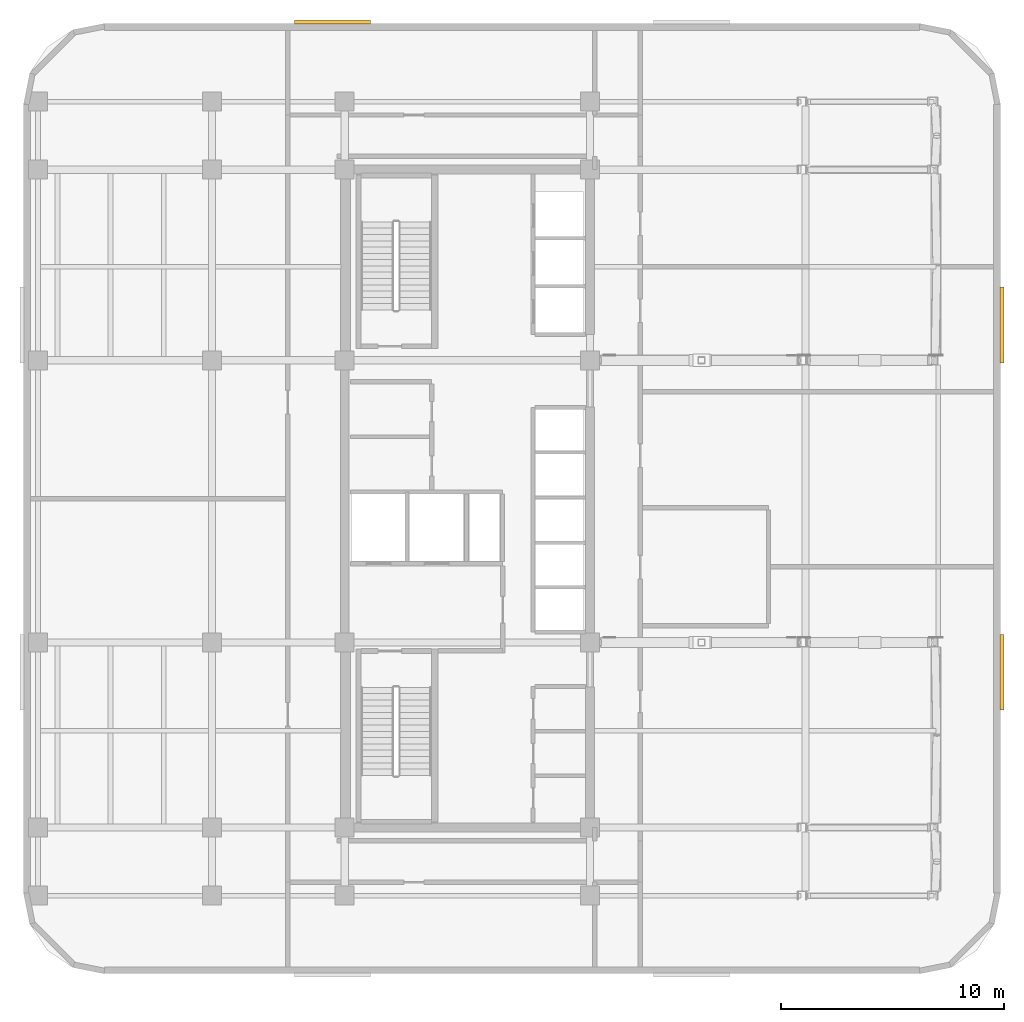
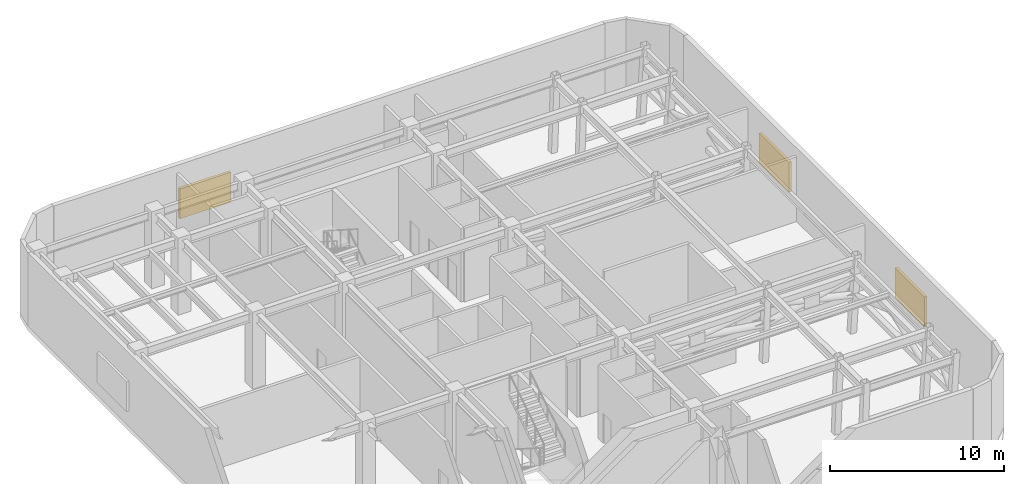
# One storey, part 11 of 12: 3 shading devices.
"""IFC4 building model written with IfcOpenShell, lengths in metres."""

from ifc_helpers import new_model, si_unit, direction, frame, origin, origin_2d, place, context, subcontext, project, spatial, rectangle, extrude, material, layer, layer_set, type_object, element, save


model = new_model("IFC4")

# Units and contexts
model_context = context("Model", 3, precision=1e-05, world=origin(), true_north=direction((0.0, 1.0)))
body_context = subcontext(model_context, "Body", "Model", "MODEL_VIEW")
ifc_project = project(units=[si_unit("LENGTHUNIT", "METRE"), si_unit("AREAUNIT", "SQUARE_METRE"), si_unit("VOLUMEUNIT", "CUBIC_METRE"), si_unit("PLANEANGLEUNIT", "RADIAN"), si_unit("MASSUNIT", "GRAM", prefix="KILO")], contexts=[model_context])

# Site, building, storey
site_placement = place(None, origin())
site = spatial("IfcSite", under=ifc_project, at=site_placement, CompositionType="ELEMENT")
building_placement = place(site_placement, origin())
building = spatial("IfcBuilding", under=site, at=building_placement, Name="Ochreholt Gables", CompositionType="ELEMENT")
storey_placement = place(building_placement, frame((0.0, 0.0, 135.60009765625)))
storey = spatial("IfcBuildingStorey", under=building, at=storey_placement, Name="L35", CompositionType="ELEMENT", Elevation=135.60009765625)

# Shading devices
ifc_material = material(Name="Anodized Aluminium Acoustic Weather Louvre", Category="aluminium")
ifc_layer = layer(ifc_material, 0.179931640625, Name="Anodized Aluminium Acoustic Weather Louvre")
ifc_layer_set = layer_set([ifc_layer], Name="Anodized Aluminium Acoustic Weather Louvre")
shading_device_type = type_object("IfcShadingDeviceType", Name="SHD-LOUVRE", PredefinedType="JALOUSIE", material=ifc_layer_set)
for number, where, z_axis, x_axis, name in (
    (1, (53.669921875, 16.2119140625, 1.099853515625), (0.0, 0.0, 1.0), (0.0, 1.0, 0.0), "L35 Acoustic Plant Louvre East-1"),
    (2, (53.669921875, 31.7880859375, 1.099853515625), (0.0, 0.0, 1.0), (0.0, 1.0, 0.0), "L35 Acoustic Plant Louvre East-2"),
    (3, (23.64794921875, 45.3701171875, 1.099853515625), (0.0, 0.0, 1.0), (-1.0, 0.0, 0.0), "L35 Acoustic Plant Louvre North-2"),
):
    element("IfcShadingDevice", number, at=place(storey_placement, frame(where, z_axis=z_axis, x_axis=x_axis)), inside=storey, type_object=shading_device_type, Name=name, PredefinedType="JALOUSIE", context=body_context, shape_type="SweptSolid", body=[
        extrude(rectangle(XDim=3.39990234375, YDim=0.179931640625, at=origin_2d()), origin(), (0.0, 0.0, 1.0), 2.10009765625),
    ])

save(model, "model.ifc")
